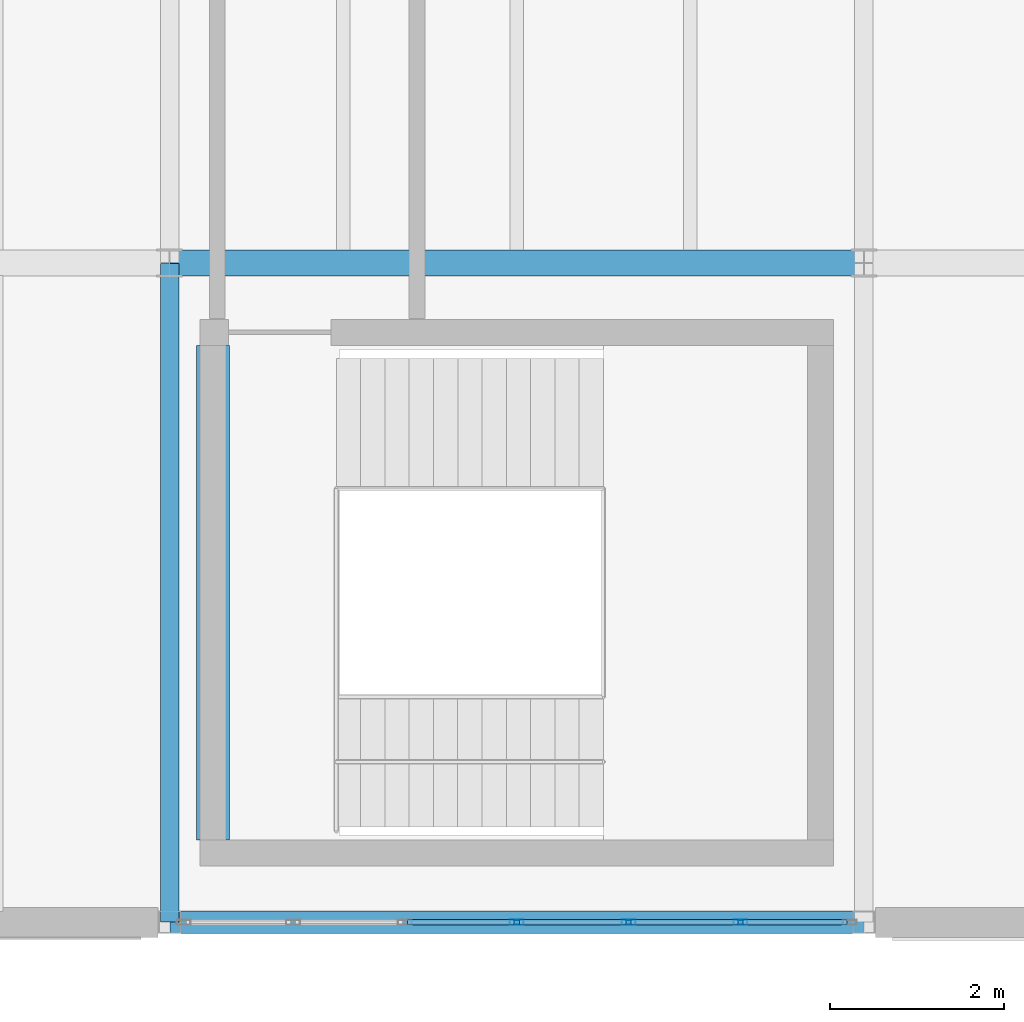
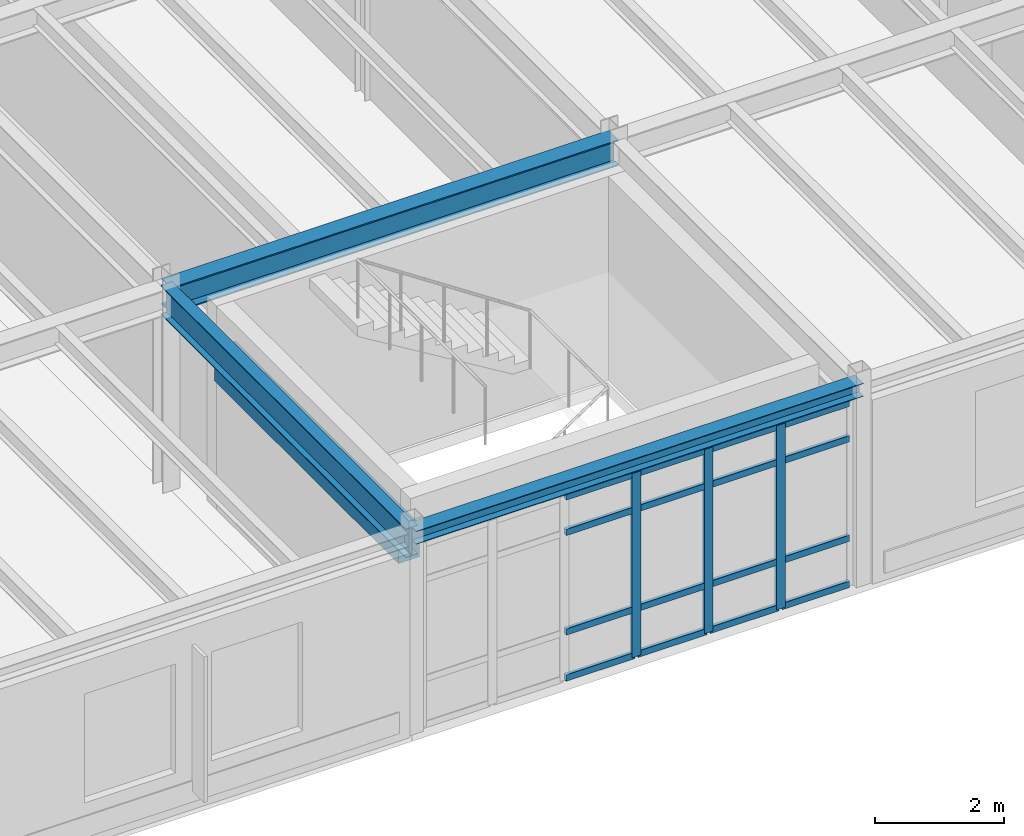
# One storey, part 113 of 189: 19 members, 4 beams, 1 element without a shape of its own.
"""IFC4 building model written with IfcOpenShell, lengths in metres."""

from ifc_helpers import new_model, si_unit, direction, frame, origin, origin_2d, place, context, subcontext, project, spatial, rectangle, hollow_rectangle, i_section, extrude, material, layer, layer_set, material_profile, profile_set, type_object, element, aggregate, save


model = new_model("IFC4")

# Units and contexts
model_context = context("Model", 3, precision=1e-05, world=origin(), true_north=direction((0.0, 1.0)))
body_context = subcontext(model_context, "Body", "Model", "MODEL_VIEW")
ifc_project = project(units=[si_unit("LENGTHUNIT", "METRE"), si_unit("AREAUNIT", "SQUARE_METRE"), si_unit("VOLUMEUNIT", "CUBIC_METRE"), si_unit("PLANEANGLEUNIT", "RADIAN"), si_unit("MASSUNIT", "GRAM", prefix="KILO")], contexts=[model_context])

# Site, building, storey
site_placement = place(None, origin())
site = spatial("IfcSite", under=ifc_project, at=site_placement, CompositionType="ELEMENT")
building_placement = place(site_placement, origin())
building = spatial("IfcBuilding", under=site, at=building_placement, Name="Montecoro Central Library", CompositionType="ELEMENT")
storey_placement = place(building_placement, frame((0.0, 0.0, 9.179931640625)))
storey = spatial("IfcBuildingStorey", under=building, at=storey_placement, Name="L02", CompositionType="ELEMENT", Elevation=9.179931640625)

# Beams
ifc_material_1 = material(Name="Steel S355J2", Category="steel")
ifc_material_profile_1 = material_profile(ifc_material_1, i_section(OverallWidth=0.300048828125, OverallDepth=0.489990234375, WebThickness=0.011962890625, FlangeThickness=0.02294921875, at=origin_2d()), Name="HEA 500")
ifc_profile_set_1 = profile_set([ifc_material_profile_1], Name="Steel S355J2")
beam_type_1 = type_object("IfcBeamType", Name="BM-G-HEA500", PredefinedType="USERDEFINED", material=ifc_profile_set_1)
beam_1_placement = place(storey_placement, frame((157.0048828125, 12.60009765625, 3.580078125), z_axis=(1.0, 0.0, 0.0), x_axis=(0.0, 1.0, 0.0)))
element("IfcBeam", 1, at=beam_1_placement, inside=storey, type_object=beam_type_1, Name="V6-L02-BX-2021-B", ObjectType="GIRDER", PredefinedType="USERDEFINED", context=body_context, shape_type="SweptSolid", body=[
    extrude(i_section(OverallWidth=0.300048828125, OverallDepth=0.489990234375, WebThickness=0.011962890625, FlangeThickness=0.02294921875, at=origin_2d()), origin(), (0.0, 0.0, 1.0), 7.990234375),
])
ifc_material_profile_2 = material_profile(ifc_material_1, i_section(OverallWidth=0.2099609375, OverallDepth=0.550048828125, WebThickness=0.010986328125, FlangeThickness=0.01708984375, at=origin_2d()), Name="IPE 550")
ifc_profile_set_2 = profile_set([ifc_material_profile_2], Name="Steel S355J2")
beam_type_2 = type_object("IfcBeamType", Name="BM-G-IPE550", PredefinedType="USERDEFINED", material=ifc_profile_set_2)
beam_2_placement = place(storey_placement, frame((157.0, 5.0048828125, 3.550048828125), z_axis=(0.0, 1.0, 0.0), x_axis=(-1.0, 0.0, 0.0)))
element("IfcBeam", 2, at=beam_2_placement, inside=storey, type_object=beam_type_2, Name="V6-L02-BY-20-AB", ObjectType="GIRDER", PredefinedType="USERDEFINED", context=body_context, shape_type="SweptSolid", body=[
    extrude(i_section(OverallWidth=0.2099609375, OverallDepth=0.550048828125, WebThickness=0.010986328125, FlangeThickness=0.01708984375, at=origin_2d()), origin(), (0.0, 0.0, 1.0), 7.590087890625),
])
ifc_material_2 = material(Name="Concrete C35/45", Category="concrete")
ifc_material_profile_3 = material_profile(ifc_material_2, rectangle(XDim=0.3798828125, YDim=0.6201171875, at=origin_2d()), Name="RC LNT 620x380")
ifc_profile_set_3 = profile_set([ifc_material_profile_3], Name="Concrete C35/45")
beam_type_3 = type_object("IfcBeamType", Name="BM-LN-RC05", PredefinedType="LINTEL", material=ifc_profile_set_3)
beam_3_placement = place(storey_placement, frame((157.5, 5.949951171875, 2.760009765625), z_axis=(0.0, 1.0, 0.0), x_axis=(-1.0, 0.0, 0.0)))
element("IfcBeam", 3, at=beam_3_placement, inside=storey, type_object=beam_type_3, Name="C10-L02-LNT", PredefinedType="LINTEL", context=body_context, shape_type="SweptSolid", body=[
    extrude(rectangle(XDim=0.3798828125, YDim=0.6201171875, at=origin_2d()), origin(), (0.0, 0.0, 1.0), 5.699951171875),
])
ifc_material_3 = material(Name="Steel S355", Category="steel")
ifc_material_profile_4 = material_profile(ifc_material_3, i_section(OverallWidth=0.260009765625, OverallDepth=0.25, WebThickness=0.007568359375, FlangeThickness=0.012451171875, at=origin_2d()), Name="HEA 260")
ifc_profile_set_4 = profile_set([ifc_material_profile_4], Name="Steel S355")
beam_type_4 = type_object("IfcBeamType", Name="BM-SP-HEA260", PredefinedType="SPANDREL", material=ifc_profile_set_4)
beam_4_placement = place(storey_placement, frame((157.0048828125, 5.0, 3.699951171875), z_axis=(1.0, 0.0, 0.0), x_axis=(0.0, 1.0, 0.0)))
element("IfcBeam", 4, at=beam_4_placement, inside=storey, type_object=beam_type_4, Name="V6-L02-BX-2021-A", PredefinedType="SPANDREL", context=body_context, shape_type="SweptSolid", body=[
    extrude(i_section(OverallWidth=0.260009765625, OverallDepth=0.25, WebThickness=0.007568359375, FlangeThickness=0.012451171875, at=origin_2d()), origin(), (0.0, 0.0, 1.0), 7.990234375),
])

# Curtain wall, members
ifc_material_4 = material(Name="Bronze-anodised aluminium and low-E glazing", Category="aluminium")
ifc_layer = layer(ifc_material_4, 0.159912109375)
ifc_layer_set = layer_set([ifc_layer], Name="Bronze-anodised aluminium and low-E glazing")
curtain_wall_type = type_object("IfcCurtainWallType", Name="CWT-064", PredefinedType="NOTDEFINED", material=ifc_layer_set)
curtain_wall_placement = place(storey_placement, origin())
curtain_wall = element("IfcCurtainWall", 5, at=curtain_wall_placement, inside=storey, type_object=curtain_wall_type, Name="V6-L02-CW-S2", PredefinedType="NOTDEFINED")
ifc_material_5 = material(Name="Bronze-anodised aluminium", Category="aluminium")
ifc_material_profile_5 = material_profile(ifc_material_5, hollow_rectangle(XDim=0.06005859375, YDim=0.159912109375, WallThickness=0.00390625, at=origin_2d()), Name="CWM 160x60x4.0")
ifc_profile_set_5 = profile_set([ifc_material_profile_5], Name="Bronze-anodised aluminium")
member_type_1 = type_object("IfcMemberType", Name="CWM-BRZ-60", PredefinedType="MULLION", material=ifc_profile_set_5)
member_1_placement = place(storey_placement, frame((161.0, 5.0, 0.0), z_axis=(0.0, 0.0, 1.0), x_axis=(0.0, 1.0, 0.0)))
member_1 = element("IfcMember", 6, at=member_1_placement, type_object=member_type_1, Name="CW-064 mullion 4", PredefinedType="MULLION", context=body_context, shape_type="SweptSolid", body=[
    extrude(hollow_rectangle(XDim=0.06005859375, YDim=0.159912109375, WallThickness=0.00390625, at=origin_2d()), origin(), (0.0, 0.0, 1.0), 3.47998046875),
])
member_2_placement = place(storey_placement, frame((162.2890625, 5.0, 0.0), z_axis=(0.0, 0.0, 1.0), x_axis=(0.0, 1.0, 0.0)))
member_2 = element("IfcMember", 7, at=member_2_placement, type_object=member_type_1, Name="CW-064 mullion 5", PredefinedType="MULLION", context=body_context, shape_type="SweptSolid", body=[
    extrude(hollow_rectangle(XDim=0.06005859375, YDim=0.159912109375, WallThickness=0.00390625, at=origin_2d()), origin(), (0.0, 0.0, 1.0), 3.47998046875),
])
member_3_placement = place(storey_placement, frame((163.577880859375, 5.0, 0.0), z_axis=(0.0, 0.0, 1.0), x_axis=(0.0, 1.0, 0.0)))
member_3 = element("IfcMember", 8, at=member_3_placement, type_object=member_type_1, Name="CW-064 mullion 6", PredefinedType="MULLION", context=body_context, shape_type="SweptSolid", body=[
    extrude(hollow_rectangle(XDim=0.06005859375, YDim=0.159912109375, WallThickness=0.00390625, at=origin_2d()), origin(), (0.0, 0.0, 1.0), 3.47998046875),
])
ifc_material_profile_6 = material_profile(ifc_material_5, hollow_rectangle(XDim=0.06005859375, YDim=0.1201171875, WallThickness=0.00390625, at=origin_2d()), Name="CWT 120x60x4.0")
ifc_profile_set_6 = profile_set([ifc_material_profile_6], Name="Bronze-anodised aluminium")
member_type_2 = type_object("IfcMemberType", Name="CWT-BRZ-60", PredefinedType="USERDEFINED", material=ifc_profile_set_6)
member_4_placement = place(storey_placement, frame((159.740966796875, 5.0, 0.030029296875), z_axis=(1.0, 0.0, 0.0), x_axis=(0.0, 1.0, 0.0)))
member_4 = element("IfcMember", 9, at=member_4_placement, type_object=member_type_2, Name="CW-064 transom 3.1", ObjectType="TRANSOM", PredefinedType="USERDEFINED", context=body_context, shape_type="SweptSolid", body=[
    extrude(hollow_rectangle(XDim=0.06005859375, YDim=0.1201171875, WallThickness=0.00390625, at=origin_2d()), origin(), (0.0, 0.0, 1.0), 1.22900390625),
])
member_5_placement = place(storey_placement, frame((159.740966796875, 5.0, 0.900146484375), z_axis=(1.0, 0.0, 0.0), x_axis=(0.0, 1.0, 0.0)))
member_5 = element("IfcMember", 10, at=member_5_placement, type_object=member_type_2, Name="CW-064 transom 3.2", ObjectType="TRANSOM", PredefinedType="USERDEFINED", context=body_context, shape_type="SweptSolid", body=[
    extrude(hollow_rectangle(XDim=0.06005859375, YDim=0.1201171875, WallThickness=0.00390625, at=origin_2d()), origin(), (0.0, 0.0, 1.0), 1.22900390625),
])
member_6_placement = place(storey_placement, frame((159.740966796875, 5.0, 2.780029296875), z_axis=(1.0, 0.0, 0.0), x_axis=(0.0, 1.0, 0.0)))
member_6 = element("IfcMember", 11, at=member_6_placement, type_object=member_type_2, Name="CW-064 transom 3.3", ObjectType="TRANSOM", PredefinedType="USERDEFINED", context=body_context, shape_type="SweptSolid", body=[
    extrude(hollow_rectangle(XDim=0.06005859375, YDim=0.1201171875, WallThickness=0.00390625, at=origin_2d()), origin(), (0.0, 0.0, 1.0), 1.22900390625),
])
member_7_placement = place(storey_placement, frame((159.740966796875, 5.0, 3.449951171875), z_axis=(1.0, 0.0, 0.0), x_axis=(0.0, 1.0, 0.0)))
member_7 = element("IfcMember", 12, at=member_7_placement, type_object=member_type_2, Name="CW-064 transom 3.4", ObjectType="TRANSOM", PredefinedType="USERDEFINED", context=body_context, shape_type="SweptSolid", body=[
    extrude(hollow_rectangle(XDim=0.06005859375, YDim=0.1201171875, WallThickness=0.00390625, at=origin_2d()), origin(), (0.0, 0.0, 1.0), 1.22900390625),
])
member_8_placement = place(storey_placement, frame((161.030029296875, 5.0, 0.030029296875), z_axis=(1.0, 0.0, 0.0), x_axis=(0.0, 1.0, 0.0)))
member_8 = element("IfcMember", 13, at=member_8_placement, type_object=member_type_2, Name="CW-064 transom 4.1", ObjectType="TRANSOM", PredefinedType="USERDEFINED", context=body_context, shape_type="SweptSolid", body=[
    extrude(hollow_rectangle(XDim=0.06005859375, YDim=0.1201171875, WallThickness=0.00390625, at=origin_2d()), origin(), (0.0, 0.0, 1.0), 1.22900390625),
])
member_9_placement = place(storey_placement, frame((161.030029296875, 5.0, 0.900146484375), z_axis=(1.0, 0.0, 0.0), x_axis=(0.0, 1.0, 0.0)))
member_9 = element("IfcMember", 14, at=member_9_placement, type_object=member_type_2, Name="CW-064 transom 4.2", ObjectType="TRANSOM", PredefinedType="USERDEFINED", context=body_context, shape_type="SweptSolid", body=[
    extrude(hollow_rectangle(XDim=0.06005859375, YDim=0.1201171875, WallThickness=0.00390625, at=origin_2d()), origin(), (0.0, 0.0, 1.0), 1.22900390625),
])
member_10_placement = place(storey_placement, frame((161.030029296875, 5.0, 2.780029296875), z_axis=(1.0, 0.0, 0.0), x_axis=(0.0, 1.0, 0.0)))
member_10 = element("IfcMember", 15, at=member_10_placement, type_object=member_type_2, Name="CW-064 transom 4.3", ObjectType="TRANSOM", PredefinedType="USERDEFINED", context=body_context, shape_type="SweptSolid", body=[
    extrude(hollow_rectangle(XDim=0.06005859375, YDim=0.1201171875, WallThickness=0.00390625, at=origin_2d()), origin(), (0.0, 0.0, 1.0), 1.22900390625),
])
member_11_placement = place(storey_placement, frame((161.030029296875, 5.0, 3.449951171875), z_axis=(1.0, 0.0, 0.0), x_axis=(0.0, 1.0, 0.0)))
member_11 = element("IfcMember", 16, at=member_11_placement, type_object=member_type_2, Name="CW-064 transom 4.4", ObjectType="TRANSOM", PredefinedType="USERDEFINED", context=body_context, shape_type="SweptSolid", body=[
    extrude(hollow_rectangle(XDim=0.06005859375, YDim=0.1201171875, WallThickness=0.00390625, at=origin_2d()), origin(), (0.0, 0.0, 1.0), 1.22900390625),
])
member_12_placement = place(storey_placement, frame((162.319091796875, 5.0, 0.030029296875), z_axis=(1.0, 0.0, 0.0), x_axis=(0.0, 1.0, 0.0)))
member_12 = element("IfcMember", 17, at=member_12_placement, type_object=member_type_2, Name="CW-064 transom 5.1", ObjectType="TRANSOM", PredefinedType="USERDEFINED", context=body_context, shape_type="SweptSolid", body=[
    extrude(hollow_rectangle(XDim=0.06005859375, YDim=0.1201171875, WallThickness=0.00390625, at=origin_2d()), origin(), (0.0, 0.0, 1.0), 1.22900390625),
])
member_13_placement = place(storey_placement, frame((162.319091796875, 5.0, 0.900146484375), z_axis=(1.0, 0.0, 0.0), x_axis=(0.0, 1.0, 0.0)))
member_13 = element("IfcMember", 18, at=member_13_placement, type_object=member_type_2, Name="CW-064 transom 5.2", ObjectType="TRANSOM", PredefinedType="USERDEFINED", context=body_context, shape_type="SweptSolid", body=[
    extrude(hollow_rectangle(XDim=0.06005859375, YDim=0.1201171875, WallThickness=0.00390625, at=origin_2d()), origin(), (0.0, 0.0, 1.0), 1.22900390625),
])
member_14_placement = place(storey_placement, frame((162.319091796875, 5.0, 2.780029296875), z_axis=(1.0, 0.0, 0.0), x_axis=(0.0, 1.0, 0.0)))
member_14 = element("IfcMember", 19, at=member_14_placement, type_object=member_type_2, Name="CW-064 transom 5.3", ObjectType="TRANSOM", PredefinedType="USERDEFINED", context=body_context, shape_type="SweptSolid", body=[
    extrude(hollow_rectangle(XDim=0.06005859375, YDim=0.1201171875, WallThickness=0.00390625, at=origin_2d()), origin(), (0.0, 0.0, 1.0), 1.22900390625),
])
member_15_placement = place(storey_placement, frame((162.319091796875, 5.0, 3.449951171875), z_axis=(1.0, 0.0, 0.0), x_axis=(0.0, 1.0, 0.0)))
member_15 = element("IfcMember", 20, at=member_15_placement, type_object=member_type_2, Name="CW-064 transom 5.4", ObjectType="TRANSOM", PredefinedType="USERDEFINED", context=body_context, shape_type="SweptSolid", body=[
    extrude(hollow_rectangle(XDim=0.06005859375, YDim=0.1201171875, WallThickness=0.00390625, at=origin_2d()), origin(), (0.0, 0.0, 1.0), 1.22900390625),
])
member_16_placement = place(storey_placement, frame((163.60791015625, 5.0, 0.030029296875), z_axis=(1.0, 0.0, 0.0), x_axis=(0.0, 1.0, 0.0)))
member_16 = element("IfcMember", 21, at=member_16_placement, type_object=member_type_2, Name="CW-064 transom 6.1", ObjectType="TRANSOM", PredefinedType="USERDEFINED", context=body_context, shape_type="SweptSolid", body=[
    extrude(hollow_rectangle(XDim=0.06005859375, YDim=0.1201171875, WallThickness=0.00390625, at=origin_2d()), origin(), (0.0, 0.0, 1.0), 1.198974609375),
])
member_17_placement = place(storey_placement, frame((163.60791015625, 5.0, 0.900146484375), z_axis=(1.0, 0.0, 0.0), x_axis=(0.0, 1.0, 0.0)))
member_17 = element("IfcMember", 22, at=member_17_placement, type_object=member_type_2, Name="CW-064 transom 6.2", ObjectType="TRANSOM", PredefinedType="USERDEFINED", context=body_context, shape_type="SweptSolid", body=[
    extrude(hollow_rectangle(XDim=0.06005859375, YDim=0.1201171875, WallThickness=0.00390625, at=origin_2d()), origin(), (0.0, 0.0, 1.0), 1.198974609375),
])
member_18_placement = place(storey_placement, frame((163.60791015625, 5.0, 2.780029296875), z_axis=(1.0, 0.0, 0.0), x_axis=(0.0, 1.0, 0.0)))
member_18 = element("IfcMember", 23, at=member_18_placement, type_object=member_type_2, Name="CW-064 transom 6.3", ObjectType="TRANSOM", PredefinedType="USERDEFINED", context=body_context, shape_type="SweptSolid", body=[
    extrude(hollow_rectangle(XDim=0.06005859375, YDim=0.1201171875, WallThickness=0.00390625, at=origin_2d()), origin(), (0.0, 0.0, 1.0), 1.198974609375),
])
member_19_placement = place(storey_placement, frame((163.60791015625, 5.0, 3.449951171875), z_axis=(1.0, 0.0, 0.0), x_axis=(0.0, 1.0, 0.0)))
member_19 = element("IfcMember", 24, at=member_19_placement, type_object=member_type_2, Name="CW-064 transom 6.4", ObjectType="TRANSOM", PredefinedType="USERDEFINED", context=body_context, shape_type="SweptSolid", body=[
    extrude(hollow_rectangle(XDim=0.06005859375, YDim=0.1201171875, WallThickness=0.00390625, at=origin_2d()), origin(), (0.0, 0.0, 1.0), 1.198974609375),
])
aggregate(curtain_wall, [member_1, member_2, member_3, member_4, member_5, member_6, member_7, member_8, member_9, member_10, member_11, member_12, member_13, member_14, member_15, member_16, member_17, member_18, member_19])

save(model, "model.ifc")
